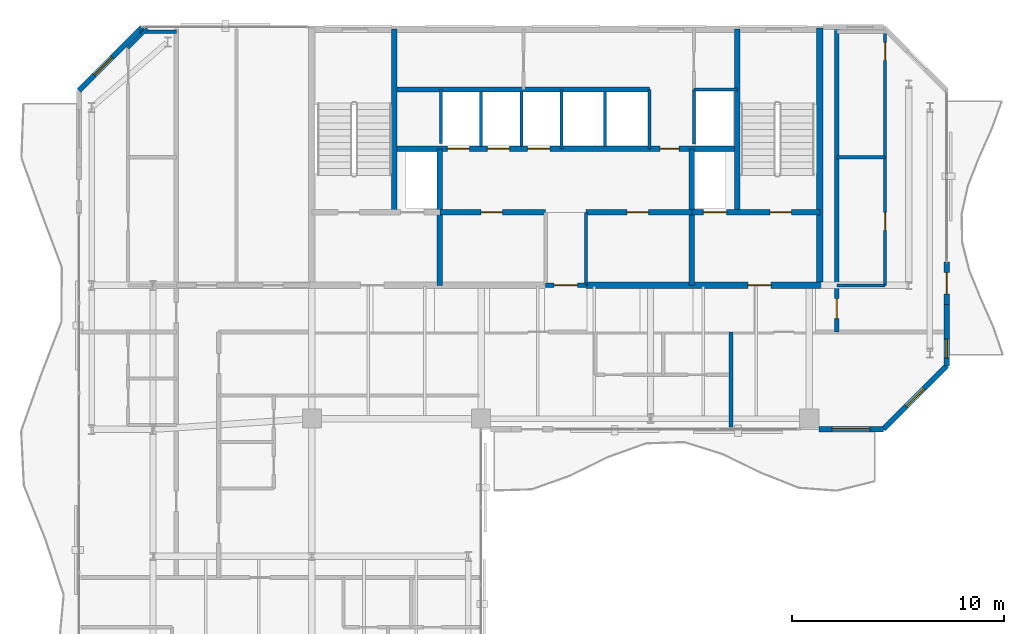
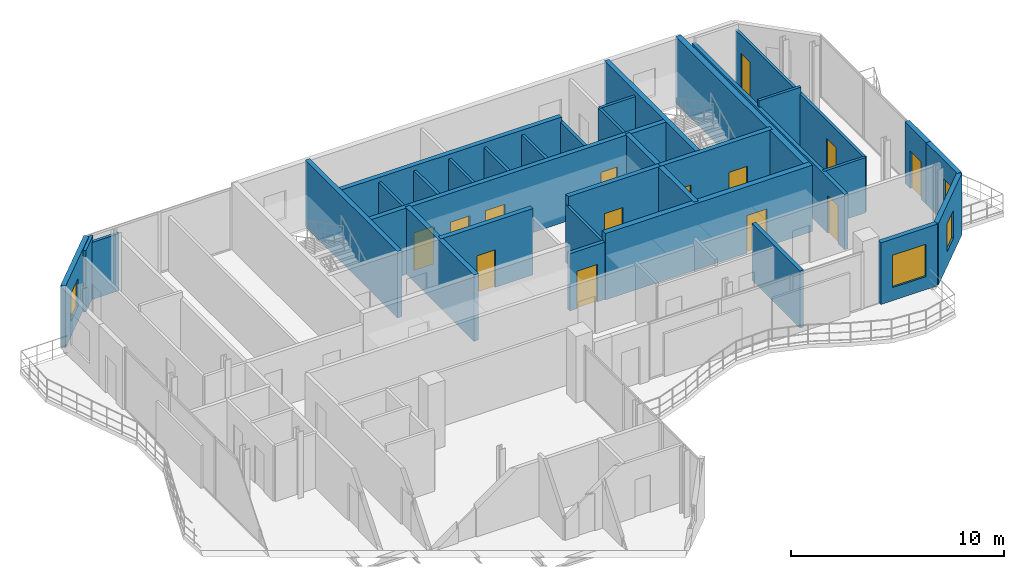
# One storey, part 19 of 23: 33 walls, 14 doors, 4 windows, 18 openings.
"""IFC4 building model written with IfcOpenShell, lengths in metres."""

import ifcopenshell
import ifcopenshell.guid

model = None  # the IFC model being written
_history = None  # IfcOwnerHistory: only IFC2X3 demands one
_inside = {}  # id of a spatial element -> (the spatial element, [elements in it])
_under = {}  # id of a project, library or spatial element -> (it, [spatial elements below it])
_declared = {}  # id of a project -> (the project, [libraries it declares])
_typed = {}  # id of a type object -> (the type object, [elements of that type])
_made_of = {}  # id of a material, layer set ... -> (it, [elements and type objects made of it])


def new_model(schema):
    """Start an empty IFC model of exactly this schema.

    Asked for "IFC4X3", IfcOpenShell would pick the latest addendum, in which some entities
    have other attributes; the version numbers below select the first issue.
    IFC2X3 requires an IfcOwnerHistory on every rooted entity: one is made here for all.
    """
    global model, _history
    if schema == "IFC4X3":
        model = ifcopenshell.file(schema_version=(4, 3, 0, 0))
    else:
        model = ifcopenshell.file(schema=schema)
    _inside.clear()
    _under.clear()
    _declared.clear()
    _typed.clear()
    _made_of.clear()
    _history = None
    if model.schema == "IFC2X3":
        org = make("IfcOrganization", Name="unknown")
        user = make(
            "IfcPersonAndOrganization",
            ThePerson=make("IfcPerson", FamilyName="unknown"),
            TheOrganization=org,
        )
        app = make(
            "IfcApplication",
            ApplicationDeveloper=org,
            Version="unknown",
            ApplicationFullName="unknown",
            ApplicationIdentifier="unknown",
        )
        _history = make(
            "IfcOwnerHistory",
            OwningUser=user,
            OwningApplication=app,
            ChangeAction="ADDED",
            CreationDate=0,
        )
    return model


def make(cls, **values):
    """One entity of the class cls with the attributes given. An attribute that is None is left unset."""
    return model.create_entity(
        cls, **{name: value for name, value in values.items() if value is not None}
    )


def rooted(cls, **values):
    """An entity with a GlobalId (a new one), such as an element, a storey or a relation."""
    return make(cls, GlobalId=ifcopenshell.guid.new(), OwnerHistory=_history, **values)


def si_unit(unit_type, name, prefix=None):
    """IfcSIUnit, for example si_unit("LENGTHUNIT", "METRE", prefix="MILLI")."""
    return make("IfcSIUnit", UnitType=unit_type, Prefix=prefix, Name=name)


def assignment(units):
    """IfcUnitAssignment: the units of a project."""
    return None if units is None else make("IfcUnitAssignment", Units=units)


def point(xyz):
    """IfcCartesianPoint."""
    return None if xyz is None else make("IfcCartesianPoint", Coordinates=xyz)


def direction(xyz):
    """IfcDirection."""
    return None if xyz is None else make("IfcDirection", DirectionRatios=xyz)


def frame(location, z_axis=None, x_axis=None):
    """IfcAxis2Placement3D, a coordinate frame: its origin and axes. An axis left out is left unset."""
    return make(
        "IfcAxis2Placement3D",
        Location=point(location),
        Axis=direction(z_axis),
        RefDirection=direction(x_axis),
    )


def frame_2d(location, x_axis=None):
    """IfcAxis2Placement2D, a coordinate frame in the plane: its origin and x axis."""
    return make(
        "IfcAxis2Placement2D", Location=point(location), RefDirection=direction(x_axis)
    )


def origin():
    """The frame at (0, 0, 0) with its axes left unset."""
    return frame((0.0, 0.0, 0.0))


def place(relative_to, where):
    """IfcLocalPlacement: puts the frame where relative to a parent placement (None: the world)."""
    return make(
        "IfcLocalPlacement", PlacementRelTo=relative_to, RelativePlacement=where
    )


def context(
    kind, dimensions, precision=None, world=None, true_north=None, identifier=None
):
    """IfcGeometricRepresentationContext, for example the 3D "Model" context."""
    return make(
        "IfcGeometricRepresentationContext",
        ContextIdentifier=identifier,
        ContextType=kind,
        CoordinateSpaceDimension=dimensions,
        Precision=precision,
        WorldCoordinateSystem=world,
        TrueNorth=true_north,
    )


def subcontext(parent, identifier, kind, view, scale=None):
    """IfcGeometricRepresentationSubContext, for example "Body" below "Model"."""
    return make(
        "IfcGeometricRepresentationSubContext",
        ContextIdentifier=identifier,
        ContextType=kind,
        ParentContext=parent,
        TargetScale=scale,
        TargetView=view,
    )


def project(units=None, contexts=None):
    """IfcProject with its units and contexts."""
    return rooted(
        "IfcProject",
        Name="project",
        RepresentationContexts=contexts,
        UnitsInContext=assignment(units),
    )


def spatial(cls, under=None, at=None, **own):
    """A site, building, storey or space (cls), placed at a placement, below another one or the project."""
    s = rooted(cls, ObjectPlacement=at, **own)
    if under is not None:
        _under.setdefault(under.id(), (under, []))[1].append(s)
    return s


def profile(cls, at=None, kind="AREA", **sizes):
    """A parametric profile (cls). Its sizes go by their IFC names, for example OverallWidth=200.0."""
    return make(cls, ProfileType=kind, Position=at, **sizes)


def rectangle(**sizes):
    """IfcRectangleProfileDef."""
    return profile("IfcRectangleProfileDef", **sizes)


def extrude(swept, where, along, depth):
    """IfcExtrudedAreaSolid: the profile swept, set in the frame where, extruded along a direction by depth."""
    return make(
        "IfcExtrudedAreaSolid",
        SweptArea=swept,
        Position=where,
        ExtrudedDirection=direction(along),
        Depth=depth,
    )


def shape(context_of_items, identifier, shape_type, items):
    """IfcShapeRepresentation: the items that make up one representation, for example the "Body"."""
    return make(
        "IfcShapeRepresentation",
        ContextOfItems=context_of_items,
        RepresentationIdentifier=identifier,
        RepresentationType=shape_type,
        Items=items,
    )


def material(Name=None, Category=None):
    """IfcMaterial."""
    return make("IfcMaterial", Name=Name, Category=Category)


def layer(
    of_material, thickness, ventilated=None, Name=None, Category=None, Priority=None
):
    """IfcMaterialLayer: one layer of a wall or slab, of a material (None: an air gap)."""
    return make(
        "IfcMaterialLayer",
        Material=of_material,
        LayerThickness=thickness,
        IsVentilated=ventilated,
        Name=Name,
        Category=Category,
        Priority=Priority,
    )


def layer_set(layers, Name=None):
    """IfcMaterialLayerSet."""
    return make("IfcMaterialLayerSet", MaterialLayers=layers, LayerSetName=Name)


def made_of(thing, what):
    """Note that an element or type object is made of a material, layer set ...; save() writes the relation."""
    if what is not None:
        _made_of.setdefault(what.id(), (what, []))[1].append(thing)
    return thing


def type_object(cls, material=None, **own):
    """A type object (cls), such as IfcWallType, which elements share."""
    return made_of(rooted(cls, **own), material)


def element(
    cls,
    number,
    at=None,
    inside=None,
    cuts=None,
    type_object=None,
    material=None,
    context=None,
    identifier="Body",
    shape_type=None,
    held_by="IfcProductDefinitionShape",
    body=None,
    shapes=None,
    **own,
):
    """One element of the class cls, such as IfcWall. Its Tag is "e" and its number.

    at: its placement. inside: the storey or other place that contains it. cuts: it is an
    opening in that element (IfcRelVoidsElement). A single representation is given by context,
    identifier, shape_type and body (its items); several are given by shapes. held_by: the class
    of the entity that holds the representations. save() writes the other relations.
    """
    e = rooted(cls, Tag="e%d" % number, ObjectPlacement=at, **own)
    if body is not None:
        shapes = [shape(context, identifier, shape_type, body)]
    if shapes is not None:
        e.Representation = make(held_by, Representations=shapes)
    if inside is not None:
        _inside.setdefault(inside.id(), (inside, []))[1].append(e)
    if cuts is not None:
        rooted(
            "IfcRelVoidsElement", RelatingBuildingElement=cuts, RelatedOpeningElement=e
        )
    if type_object is not None:
        _typed.setdefault(type_object.id(), (type_object, []))[1].append(e)
    return made_of(e, material)


def fill(opening, filler):
    """IfcRelFillsElement: the door or window that sits in an opening."""
    return rooted(
        "IfcRelFillsElement",
        RelatingOpeningElement=opening,
        RelatedBuildingElement=filler,
    )


def aggregate(whole, parts):
    """IfcRelAggregates: a whole, such as a stair, and the parts it consists of."""
    return rooted("IfcRelAggregates", RelatingObject=whole, RelatedObjects=parts)


def save(model, path):
    """Write the relations noted so far, then the file.

    IfcRelAggregates (storeys below a building ...), IfcRelContainedInSpatialStructure (elements
    in a storey), IfcRelDefinesByType, IfcRelAssociatesMaterial and IfcRelDeclares: one each for
    every whole, place, type object, material and project.
    """
    for whole, parts in _under.values():
        aggregate(whole, parts)
    for where, things in _inside.values():
        rooted(
            "IfcRelContainedInSpatialStructure",
            RelatedElements=things,
            RelatingStructure=where,
        )
    for kind, things in _typed.values():
        rooted("IfcRelDefinesByType", RelatedObjects=things, RelatingType=kind)
    for what, things in _made_of.values():
        rooted("IfcRelAssociatesMaterial", RelatedObjects=things, RelatingMaterial=what)
    for by, libraries in _declared.values():
        rooted("IfcRelDeclares", RelatingContext=by, RelatedDefinitions=libraries)
    model.write(path)


model = new_model("IFC4")

# Units and contexts
model_context = context("Model", 3, precision=1e-05, world=origin(), true_north=direction((0.0, 1.0)))
body_context = subcontext(model_context, "Body", "Model", "MODEL_VIEW")
ifc_project = project(units=[si_unit("LENGTHUNIT", "METRE"), si_unit("AREAUNIT", "SQUARE_METRE"), si_unit("VOLUMEUNIT", "CUBIC_METRE"), si_unit("PLANEANGLEUNIT", "RADIAN"), si_unit("MASSUNIT", "GRAM", prefix="KILO")], contexts=[model_context])

# Site, building, storey
site_placement = place(None, origin())
site = spatial("IfcSite", under=ifc_project, at=site_placement, CompositionType="ELEMENT")
building_placement = place(site_placement, origin())
building = spatial("IfcBuilding", under=site, at=building_placement, Name="Catumbela Crestline Tower", CompositionType="ELEMENT")
storey_placement = place(building_placement, frame((0.0, 0.0, 245.0)))
storey = spatial("IfcBuildingStorey", under=building, at=storey_placement, Name="L63", CompositionType="ELEMENT", Elevation=245.0)

# Walls
ifc_material_1 = material(Name="Concrete C50/60", Category="concrete")
ifc_layer_1 = layer(ifc_material_1, 0.25, Name="Concrete C50/60")
ifc_layer_set_1 = layer_set([ifc_layer_1], Name="Concrete C50/60")
wall_type_1 = type_object("IfcWallType", Name="CW-250D", PredefinedType="SHEAR", material=ifc_layer_set_1)
for number, where, z_axis, x_axis, name in (
    (1, (19.9, 34.25, 0.0), (0.0, 0.0, 1.0), (0.0, 1.0, 0.0), "L63 Structural Core Shear Wall WWEB"),
    (2, (36.1, 34.25, 0.0), (0.0, 0.0, 1.0), (0.0, 1.0, 0.0), "L63 Structural Core Shear Wall EWEB"),
):
    element("IfcWall", number, at=place(storey_placement, frame(where, z_axis=z_axis, x_axis=x_axis)), inside=storey, type_object=wall_type_1, Name=name, PredefinedType="SHEAR", context=body_context, shape_type="SweptSolid", body=[
        extrude(rectangle(XDim=8.65, YDim=0.25, at=frame_2d((4.325, 0.0))), origin(), (0.0, 0.0, 1.0), 3.8),
    ])
for number, where, z_axis, x_axis, name in (
    (3, (22.05, 30.8, 0.0), (0.0, 0.0, 1.0), (0.0, 1.0, 0.0), "L63 Structural Core Shear Wall FFW"),
    (4, (33.95, 30.8, 0.0), (0.0, 0.0, 1.0), (0.0, 1.0, 0.0), "L63 Structural Core Shear Wall FFE"),
):
    element("IfcWall", number, at=place(storey_placement, frame(where, z_axis=z_axis, x_axis=x_axis)), inside=storey, type_object=wall_type_1, Name=name, PredefinedType="SHEAR", context=body_context, shape_type="SweptSolid", body=[
        extrude(rectangle(XDim=6.45, YDim=0.25, at=frame_2d((3.225, 0.0))), origin(), (0.0, 0.0, 1.0), 3.8),
    ])

# Wall, openings, doors
wall_1_placement = place(storey_placement, frame((33.95, 34.25, 0.0), z_axis=(0.0, 0.0, 1.0), x_axis=(1.0, 0.0, 0.0)))
wall_1 = element("IfcWall", 5, at=wall_1_placement, inside=storey, type_object=wall_type_1, Name="L63 Structural Core Shear Wall ST2S", PredefinedType="SHEAR", context=body_context, shape_type="SweptSolid", body=[
    extrude(rectangle(XDim=6.05, YDim=0.25, at=frame_2d((3.025, 0.0))), origin(), (0.0, 0.0, 1.0), 3.8),
])
opening_1_placement = place(wall_1_placement, frame((3.7, 0.0, 0.0)))
opening_1 = element("IfcOpeningElement", 6, at=opening_1_placement, cuts=wall_1, Name="Opening DF9-100", PredefinedType="OPENING", context=body_context, shape_type="SweptSolid", body=[
    extrude(rectangle(XDim=1.0, YDim=2.15, at=frame_2d((0.5, 1.075))), frame((0.0, 0.135, 0.0), z_axis=(0.0, -1.0, 0.0), x_axis=(1.0, 0.0, 0.0)), (0.0, 0.0, 1.0), 0.27),
])
opening_2_placement = place(wall_1_placement, frame((0.55, 0.0, 0.0)))
opening_2 = element("IfcOpeningElement", 7, at=opening_2_placement, cuts=wall_1, Name="Opening LD-110", PredefinedType="OPENING", context=body_context, shape_type="SweptSolid", body=[
    extrude(rectangle(XDim=1.1, YDim=2.15, at=frame_2d((0.55, 1.075))), frame((0.0, 0.135, 0.0), z_axis=(0.0, -1.0, 0.0), x_axis=(1.0, 0.0, 0.0)), (0.0, 0.0, 1.0), 0.27),
])
ifc_material_2 = material(Name="Stainless steel EN 1.4401", Category="steel")
door_type_1 = type_object("IfcDoorType", Name="DF9-100", OperationType="NOTDEFINED", PredefinedType="DOOR", material=ifc_material_2)
door_1_placement = place(opening_1_placement, origin())
door_1 = element("IfcDoor", 8, at=door_1_placement, inside=storey, type_object=door_type_1, Name="L63 Interior Door DR-L63-ST02", OperationType="SINGLE_SWING_RIGHT", OverallHeight=2.15, OverallWidth=1.0, PredefinedType="DOOR", context=body_context, shape_type="SweptSolid", body=[
    extrude(rectangle(XDim=1.0, YDim=2.15, at=frame_2d((0.5, 1.075))), frame((0.0, 0.025, 0.0), z_axis=(0.0, -1.0, 0.0), x_axis=(1.0, 0.0, 0.0)), (0.0, 0.0, 1.0), 0.05),
])
fill(opening_1, door_1)
door_type_2 = type_object("IfcDoorType", Name="LD-110", OperationType="NOTDEFINED", PredefinedType="DOOR", material=ifc_material_2)
door_2_placement = place(opening_2_placement, origin())
door_2 = element("IfcDoor", 9, at=door_2_placement, inside=storey, type_object=door_type_2, Name="L63 Lift Landing Sliding Door FL-02", OperationType="DOUBLE_DOOR_SLIDING", OverallHeight=2.15, OverallWidth=1.1, PredefinedType="DOOR", context=body_context, shape_type="SweptSolid", body=[
    extrude(rectangle(XDim=1.1, YDim=2.15, at=frame_2d((0.55, 1.075))), frame((0.0, 0.025, 0.0), z_axis=(0.0, -1.0, 0.0), x_axis=(1.0, 0.0, 0.0)), (0.0, 0.0, 1.0), 0.05),
])
fill(opening_2, door_2)

# Wall, opening, door
wall_2_placement = place(storey_placement, frame((22.05, 34.25, 0.0), z_axis=(0.0, 0.0, 1.0), x_axis=(1.0, 0.0, 0.0)))
wall_2 = element("IfcWall", 10, at=wall_2_placement, inside=storey, type_object=wall_type_1, Name="L63 Structural Core Shear Wall LIFTS-W", PredefinedType="SHEAR", context=body_context, shape_type="SweptSolid", body=[
    extrude(rectangle(XDim=5.0, YDim=0.25, at=frame_2d((2.5, 0.0))), origin(), (0.0, 0.0, 1.0), 3.8),
])
opening_3_placement = place(wall_2_placement, frame((1.95, 0.0, 0.0)))
opening_3 = element("IfcOpeningElement", 11, at=opening_3_placement, cuts=wall_2, Name="Opening DF9-100", PredefinedType="OPENING", context=body_context, shape_type="SweptSolid", body=[
    extrude(rectangle(XDim=1.0, YDim=2.15, at=frame_2d((0.5, 1.075))), frame((0.0, 0.135, 0.0), z_axis=(0.0, -1.0, 0.0), x_axis=(1.0, 0.0, 0.0)), (0.0, 0.0, 1.0), 0.27),
])
door_3_placement = place(opening_3_placement, origin())
door_3 = element("IfcDoor", 12, at=door_3_placement, inside=storey, type_object=door_type_1, Name="L63 Interior Door DR-L63-RECL1", OperationType="SINGLE_SWING_LEFT", OverallHeight=2.15, OverallWidth=1.0, PredefinedType="DOOR", context=body_context, shape_type="SweptSolid", body=[
    extrude(rectangle(XDim=1.0, YDim=2.15, at=frame_2d((0.5, 1.075))), frame((0.0, 0.025, 0.0), z_axis=(0.0, -1.0, 0.0), x_axis=(1.0, 0.0, 0.0)), (0.0, 0.0, 1.0), 0.05),
])
fill(opening_3, door_3)

wall_3_placement = place(storey_placement, frame((28.95, 34.25, 0.0), z_axis=(0.0, 0.0, 1.0), x_axis=(1.0, 0.0, 0.0)))
wall_3 = element("IfcWall", 13, at=wall_3_placement, inside=storey, type_object=wall_type_1, Name="L63 Structural Core Shear Wall LIFTS-E", PredefinedType="SHEAR", context=body_context, shape_type="SweptSolid", body=[
    extrude(rectangle(XDim=5.0, YDim=0.25, at=frame_2d((2.5, 0.0))), origin(), (0.0, 0.0, 1.0), 3.8),
])
opening_4_placement = place(wall_3_placement, frame((1.95, 0.0, 0.0)))
opening_4 = element("IfcOpeningElement", 14, at=opening_4_placement, cuts=wall_3, Name="Opening DF9-100", PredefinedType="OPENING", context=body_context, shape_type="SweptSolid", body=[
    extrude(rectangle(XDim=1.0, YDim=2.15, at=frame_2d((0.5, 1.075))), frame((0.0, 0.135, 0.0), z_axis=(0.0, -1.0, 0.0), x_axis=(1.0, 0.0, 0.0)), (0.0, 0.0, 1.0), 0.27),
])
door_4_placement = place(opening_4_placement, origin())
door_4 = element("IfcDoor", 15, at=door_4_placement, inside=storey, type_object=door_type_1, Name="L63 Interior Door DR-L63-RECL2", OperationType="SINGLE_SWING_RIGHT", OverallHeight=2.15, OverallWidth=1.0, PredefinedType="DOOR", context=body_context, shape_type="SweptSolid", body=[
    extrude(rectangle(XDim=1.0, YDim=2.15, at=frame_2d((0.5, 1.075))), frame((0.0, 0.025, 0.0), z_axis=(0.0, -1.0, 0.0), x_axis=(1.0, 0.0, 0.0)), (0.0, 0.0, 1.0), 0.05),
])
fill(opening_4, door_4)

# Wall, openings, doors
wall_4_placement = place(storey_placement, frame((19.9, 37.25, 0.0), z_axis=(0.0, 0.0, 1.0), x_axis=(1.0, 0.0, 0.0)))
wall_4 = element("IfcWall", 16, at=wall_4_placement, inside=storey, type_object=wall_type_1, Name="L63 Structural Core Shear Wall LIFTN", PredefinedType="SHEAR", context=body_context, shape_type="SweptSolid", body=[
    extrude(rectangle(XDim=16.2, YDim=0.25, at=frame_2d((8.1, 0.0))), origin(), (0.0, 0.0, 1.0), 3.8),
])
opening_5_placement = place(wall_4_placement, frame((12.55, 0.0, 0.0)))
opening_5 = element("IfcOpeningElement", 17, at=opening_5_placement, cuts=wall_4, Name="Opening DF9-090", PredefinedType="OPENING", context=body_context, shape_type="SweptSolid", body=[
    extrude(rectangle(XDim=0.9, YDim=2.15, at=frame_2d((0.45, 1.075))), frame((0.0, 0.135, 0.0), z_axis=(0.0, -1.0, 0.0), x_axis=(1.0, 0.0, 0.0)), (0.0, 0.0, 1.0), 0.27),
])
opening_6_placement = place(wall_4_placement, frame((2.5, 0.0, 0.0)))
opening_6 = element("IfcOpeningElement", 18, at=opening_6_placement, cuts=wall_4, Name="Opening LD-105", PredefinedType="OPENING", context=body_context, shape_type="SweptSolid", body=[
    extrude(rectangle(XDim=1.05, YDim=2.15, at=frame_2d((0.525, 1.075))), frame((0.0, 0.135, 0.0), z_axis=(0.0, -1.0, 0.0), x_axis=(1.0, 0.0, 0.0)), (0.0, 0.0, 1.0), 0.27),
])
opening_7_placement = place(wall_4_placement, frame((4.4, 0.0, 0.0)))
opening_7 = element("IfcOpeningElement", 19, at=opening_7_placement, cuts=wall_4, Name="Opening LD-105", PredefinedType="OPENING", context=body_context, shape_type="SweptSolid", body=[
    extrude(rectangle(XDim=1.05, YDim=2.15, at=frame_2d((0.525, 1.075))), frame((0.0, 0.135, 0.0), z_axis=(0.0, -1.0, 0.0), x_axis=(1.0, 0.0, 0.0)), (0.0, 0.0, 1.0), 0.27),
])
opening_8_placement = place(wall_4_placement, frame((6.3, 0.0, 0.0)))
opening_8 = element("IfcOpeningElement", 20, at=opening_8_placement, cuts=wall_4, Name="Opening LD-105", PredefinedType="OPENING", context=body_context, shape_type="SweptSolid", body=[
    extrude(rectangle(XDim=1.05, YDim=2.15, at=frame_2d((0.525, 1.075))), frame((0.0, 0.135, 0.0), z_axis=(0.0, -1.0, 0.0), x_axis=(1.0, 0.0, 0.0)), (0.0, 0.0, 1.0), 0.27),
])
door_type_3 = type_object("IfcDoorType", Name="DF9-090", OperationType="NOTDEFINED", PredefinedType="DOOR", material=ifc_material_2)
door_5_placement = place(opening_5_placement, origin())
door_5 = element("IfcDoor", 21, at=door_5_placement, inside=storey, type_object=door_type_3, Name="L63 Interior Door DR-L63-CPAS1", OperationType="SINGLE_SWING_LEFT", OverallHeight=2.15, OverallWidth=0.9, PredefinedType="DOOR", context=body_context, shape_type="SweptSolid", body=[
    extrude(rectangle(XDim=0.9, YDim=2.15, at=frame_2d((0.45, 1.075))), frame((0.0, 0.025, 0.0), z_axis=(0.0, -1.0, 0.0), x_axis=(1.0, 0.0, 0.0)), (0.0, 0.0, 1.0), 0.05),
])
fill(opening_5, door_5)
door_type_4 = type_object("IfcDoorType", Name="LD-105", OperationType="NOTDEFINED", PredefinedType="DOOR", material=ifc_material_2)
door_6_placement = place(opening_6_placement, origin())
door_6 = element("IfcDoor", 22, at=door_6_placement, inside=storey, type_object=door_type_4, Name="L63 Lift Landing Sliding Door PL-H1", OperationType="DOUBLE_DOOR_SLIDING", OverallHeight=2.15, OverallWidth=1.05, PredefinedType="DOOR", context=body_context, shape_type="SweptSolid", body=[
    extrude(rectangle(XDim=1.05, YDim=2.15, at=frame_2d((0.525, 1.075))), frame((0.0, 0.025, 0.0), z_axis=(0.0, -1.0, 0.0), x_axis=(1.0, 0.0, 0.0)), (0.0, 0.0, 1.0), 0.05),
])
fill(opening_6, door_6)
door_7_placement = place(opening_7_placement, origin())
door_7 = element("IfcDoor", 23, at=door_7_placement, inside=storey, type_object=door_type_4, Name="L63 Lift Landing Sliding Door PL-H2", OperationType="DOUBLE_DOOR_SLIDING", OverallHeight=2.15, OverallWidth=1.05, PredefinedType="DOOR", context=body_context, shape_type="SweptSolid", body=[
    extrude(rectangle(XDim=1.05, YDim=2.15, at=frame_2d((0.525, 1.075))), frame((0.0, 0.025, 0.0), z_axis=(0.0, -1.0, 0.0), x_axis=(1.0, 0.0, 0.0)), (0.0, 0.0, 1.0), 0.05),
])
fill(opening_7, door_7)
door_8_placement = place(opening_8_placement, origin())
door_8 = element("IfcDoor", 24, at=door_8_placement, inside=storey, type_object=door_type_4, Name="L63 Lift Landing Sliding Door PL-H3", OperationType="DOUBLE_DOOR_SLIDING", OverallHeight=2.15, OverallWidth=1.05, PredefinedType="DOOR", context=body_context, shape_type="SweptSolid", body=[
    extrude(rectangle(XDim=1.05, YDim=2.15, at=frame_2d((0.525, 1.075))), frame((0.0, 0.025, 0.0), z_axis=(0.0, -1.0, 0.0), x_axis=(1.0, 0.0, 0.0)), (0.0, 0.0, 1.0), 0.05),
])
fill(opening_8, door_8)

# Walls
wall_5_placement = place(storey_placement, frame((19.9, 40.05, 0.0), z_axis=(0.0, 0.0, 1.0), x_axis=(1.0, 0.0, 0.0)))
element("IfcWall", 25, at=wall_5_placement, inside=storey, type_object=wall_type_1, Name="L63 Structural Core Shear Wall COREN", PredefinedType="SHEAR", context=body_context, shape_type="SweptSolid", body=[
    extrude(rectangle(XDim=12.05, YDim=0.25, at=frame_2d((6.025, 0.0))), origin(), (0.0, 0.0, 1.0), 3.8),
])
ifc_material_3 = material(Name="Concrete C45/55", Category="concrete")
ifc_layer_2 = layer(ifc_material_3, 0.3, Name="Concrete C45/55")
ifc_layer_set_2 = layer_set([ifc_layer_2], Name="Concrete C45/55")
wall_type_2 = type_object("IfcWallType", Name="CW-300C", PredefinedType="SHEAR", material=ifc_layer_set_2)
wall_6_placement = place(storey_placement, frame((40.0, 30.65, 0.0), z_axis=(0.0, 0.0, 1.0), x_axis=(0.0, 1.0, 0.0)))
element("IfcWall", 26, at=wall_6_placement, inside=storey, type_object=wall_type_2, Name="L63 Structural Core Shear Wall E", PredefinedType="SHEAR", context=body_context, shape_type="SweptSolid", body=[
    extrude(rectangle(XDim=12.3, YDim=0.3, at=frame_2d((6.15, 0.0))), origin(), (0.0, 0.0, 1.0), 3.8),
])

# Wall, opening, door
wall_7_placement = place(storey_placement, frame((28.95, 30.8, 0.0), z_axis=(0.0, 0.0, 1.0), x_axis=(1.0, 0.0, 0.0)))
wall_7 = element("IfcWall", 27, at=wall_7_placement, inside=storey, type_object=wall_type_2, Name="L63 Structural Core Shear Wall SE", PredefinedType="SHEAR", context=body_context, shape_type="SweptSolid", body=[
    extrude(rectangle(XDim=11.2, YDim=0.3, at=frame_2d((5.6, 0.0))), origin(), (0.0, 0.0, 1.0), 3.8),
])
opening_9_placement = place(wall_7_placement, frame((7.65, 0.0, 0.0)))
opening_9 = element("IfcOpeningElement", 28, at=opening_9_placement, cuts=wall_7, Name="Opening DF9-110", PredefinedType="OPENING", context=body_context, shape_type="SweptSolid", body=[
    extrude(rectangle(XDim=1.1, YDim=2.15, at=frame_2d((0.55, 1.075))), frame((0.0, 0.16, 0.0), z_axis=(0.0, -1.0, 0.0), x_axis=(1.0, 0.0, 0.0)), (0.0, 0.0, 1.0), 0.32),
])
door_type_5 = type_object("IfcDoorType", Name="DF9-110", OperationType="NOTDEFINED", PredefinedType="DOOR", material=ifc_material_2)
door_9_placement = place(opening_9_placement, origin())
door_9 = element("IfcDoor", 29, at=door_9_placement, inside=storey, type_object=door_type_5, Name="L63 Interior Door DR-L63-FFE-S", OperationType="SINGLE_SWING_RIGHT", OverallHeight=2.15, OverallWidth=1.1, PredefinedType="DOOR", context=body_context, shape_type="SweptSolid", body=[
    extrude(rectangle(XDim=1.1, YDim=2.15, at=frame_2d((0.55, 1.075))), frame((0.0, 0.025, 0.0), z_axis=(0.0, -1.0, 0.0), x_axis=(1.0, 0.0, 0.0)), (0.0, 0.0, 1.0), 0.05),
])
fill(opening_9, door_9)

ifc_material_4 = material(Name="Acoustic gypsum and mineral-wool partition")
ifc_layer_3 = layer(ifc_material_4, 0.2, Name="Acoustic gypsum and mineral-wool partition")
ifc_layer_set_3 = layer_set([ifc_layer_3], Name="Acoustic gypsum and mineral-wool partition")
wall_type_3 = type_object("IfcWallType", Name="WC-200", PredefinedType="PARTITIONING", material=ifc_layer_set_3)
wall_8_placement = place(storey_placement, frame((27.05, 30.8, 0.0), z_axis=(0.0, 0.0, 1.0), x_axis=(1.0, 0.0, 0.0)))
wall_8 = element("IfcWall", 30, at=wall_8_placement, inside=storey, type_object=wall_type_3, Name="L63 Interior Partition PW-L63-CLOBS", PredefinedType="PARTITIONING", context=body_context, shape_type="SweptSolid", body=[
    extrude(rectangle(XDim=1.9, YDim=0.2, at=frame_2d((0.95, 0.0))), origin(), (0.0, 0.0, 1.0), 3.28),
])
opening_10_placement = place(wall_8_placement, frame((0.4, 0.0, 0.0)))
opening_10 = element("IfcOpeningElement", 31, at=opening_10_placement, cuts=wall_8, Name="Opening DF9-110", PredefinedType="OPENING", context=body_context, shape_type="SweptSolid", body=[
    extrude(rectangle(XDim=1.1, YDim=2.15, at=frame_2d((0.55, 1.075))), frame((0.0, 0.11, 0.0), z_axis=(0.0, -1.0, 0.0), x_axis=(1.0, 0.0, 0.0)), (0.0, 0.0, 1.0), 0.22),
])
door_10_placement = place(opening_10_placement, origin())
door_10 = element("IfcDoor", 32, at=door_10_placement, inside=storey, type_object=door_type_5, Name="L63 Interior Door DR-L63-CLOBS", OperationType="SINGLE_SWING_LEFT", OverallHeight=2.15, OverallWidth=1.1, PredefinedType="DOOR", context=body_context, shape_type="SweptSolid", body=[
    extrude(rectangle(XDim=1.1, YDim=2.15, at=frame_2d((0.55, 1.075))), frame((0.0, 0.025, 0.0), z_axis=(0.0, -1.0, 0.0), x_axis=(1.0, 0.0, 0.0)), (0.0, 0.0, 1.0), 0.05),
])
fill(opening_10, door_10)

wall_9_placement = place(storey_placement, frame((40.8, 28.6, 0.0), z_axis=(0.0, 0.0, 1.0), x_axis=(0.0, 1.0, 0.0)))
wall_9 = element("IfcWall", 33, at=wall_9_placement, inside=storey, type_object=wall_type_3, Name="L63 Interior Partition PW-L63-NE1-ENT", PredefinedType="PARTITIONING", context=body_context, shape_type="SweptSolid", body=[
    extrude(rectangle(XDim=14.3, YDim=0.2, at=frame_2d((7.15, 0.0))), origin(), (0.0, 0.0, 1.0), 3.16),
])
opening_11_placement = place(wall_9_placement, frame((0.625, 0.0, 0.0)))
opening_11 = element("IfcOpeningElement", 34, at=opening_11_placement, cuts=wall_9, Name="Opening DF6-095", PredefinedType="OPENING", context=body_context, shape_type="SweptSolid", body=[
    extrude(rectangle(XDim=0.95, YDim=2.15, at=frame_2d((0.475, 1.075))), frame((0.0, 0.11, 0.0), z_axis=(0.0, -1.0, 0.0), x_axis=(1.0, 0.0, 0.0)), (0.0, 0.0, 1.0), 0.22),
])
ifc_material_5 = material(Name="Aluminium alloy AW-6060-T66", Category="aluminium")
door_type_6 = type_object("IfcDoorType", Name="DF6-095", OperationType="NOTDEFINED", PredefinedType="DOOR", material=ifc_material_5)
door_11_placement = place(opening_11_placement, origin())
door_11 = element("IfcDoor", 35, at=door_11_placement, inside=storey, type_object=door_type_6, Name="L63 Interior Door DR-L63-NE1-ENT", OperationType="SINGLE_SWING_LEFT", OverallHeight=2.15, OverallWidth=0.95, PredefinedType="DOOR", context=body_context, shape_type="SweptSolid", body=[
    extrude(rectangle(XDim=0.95, YDim=2.15, at=frame_2d((0.475, 1.075))), frame((0.0, 0.025, 0.0), z_axis=(0.0, -1.0, 0.0), x_axis=(1.0, 0.0, 0.0)), (0.0, 0.0, 1.0), 0.05),
])
fill(opening_11, door_11)

# Wall, opening, window
ifc_material_6 = material(Name="Angolan grey-ochre granite", Category="masonry")
ifc_layer_4 = layer(ifc_material_6, 0.25, Name="Angolan grey-ochre granite")
ifc_layer_set_4 = layer_set([ifc_layer_4], Name="Angolan grey-ochre granite")
wall_type_4 = type_object("IfcWallType", Name="WE-250", PredefinedType="STANDARD", material=ifc_layer_set_4)
wall_10_placement = place(storey_placement, frame((39.95, 24.0, 0.0), z_axis=(0.0, 0.0, 1.0), x_axis=(1.0, 0.0, 0.0)))
wall_10 = element("IfcWall", 36, at=wall_10_placement, inside=storey, type_object=wall_type_4, Name="L63 Granite Punched Window Wall 3-3", PredefinedType="STANDARD", context=body_context, shape_type="SweptSolid", body=[
    extrude(rectangle(XDim=3.05, YDim=0.25, at=frame_2d((1.525, 0.0))), origin(), (0.0, 0.0, 1.0), 3.53),
])
opening_12_placement = place(wall_10_placement, frame((0.625, 0.0, 0.75)))
opening_12 = element("IfcOpeningElement", 37, at=opening_12_placement, cuts=wall_10, Name="Opening WN-01", PredefinedType="OPENING", context=body_context, shape_type="SweptSolid", body=[
    extrude(rectangle(XDim=1.8, YDim=1.85, at=frame_2d((0.9, 0.925))), frame((0.0, 0.135, 0.0), z_axis=(0.0, -1.0, 0.0), x_axis=(1.0, 0.0, 0.0)), (0.0, 0.0, 1.0), 0.27),
])
ifc_material_7 = material(Name="Low-E laminated solar-control double glazing", Category="glass")
window_type_1 = type_object("IfcWindowType", Name="WF-1800", PartitioningType="SINGLE_PANEL", PredefinedType="WINDOW", material=ifc_material_7)
window_1_placement = place(opening_12_placement, origin())
window_1 = element("IfcWindow", 38, at=window_1_placement, inside=storey, type_object=window_type_1, Name="L63 Facade Vision Window 471", OverallHeight=1.85, OverallWidth=1.8, PartitioningType="SINGLE_PANEL", PredefinedType="WINDOW", context=body_context, shape_type="SweptSolid", body=[
    extrude(rectangle(XDim=1.8, YDim=1.85, at=frame_2d((0.9, 0.925))), frame((0.0, 0.03, 0.0), z_axis=(0.0, -1.0, 0.0), x_axis=(1.0, 0.0, 0.0)), (0.0, 0.0, 1.0), 0.06),
])
fill(opening_12, window_1)

wall_11_placement = place(storey_placement, frame((43.0, 24.0, 0.0), z_axis=(0.0, 0.0, 1.0), x_axis=(0.707106781187, 0.707106781187, 0.0)))
wall_11 = element("IfcWall", 39, at=wall_11_placement, inside=storey, type_object=wall_type_4, Name="L63 Granite Punched Window Wall 4-1", PredefinedType="STANDARD", context=body_context, shape_type="SweptSolid", body=[
    extrude(rectangle(XDim=4.2426, YDim=0.25, at=frame_2d((2.1213, 0.0))), origin(), (0.0, 0.0, 1.0), 3.53),
])
opening_13_placement = place(wall_11_placement, frame((1.5213, 0.0, 0.85)))
opening_13 = element("IfcOpeningElement", 40, at=opening_13_placement, cuts=wall_11, Name="Opening WN-02", PredefinedType="OPENING", context=body_context, shape_type="SweptSolid", body=[
    extrude(rectangle(XDim=1.2, YDim=1.6, at=frame_2d((0.6, 0.8))), frame((0.0, 0.135, 0.0), z_axis=(0.0, -1.0, 0.0), x_axis=(1.0, 0.0, 0.0)), (0.0, 0.0, 1.0), 0.27),
])
window_type_2 = type_object("IfcWindowType", Name="WO-1200", PartitioningType="SINGLE_PANEL", PredefinedType="WINDOW", material=ifc_material_7)
window_2_placement = place(opening_13_placement, origin())
window_2 = element("IfcWindow", 41, at=window_2_placement, inside=storey, type_object=window_type_2, Name="L63 Facade Vision Window 472", OverallHeight=1.6, OverallWidth=1.2, PartitioningType="SINGLE_PANEL", PredefinedType="WINDOW", context=body_context, shape_type="SweptSolid", body=[
    extrude(rectangle(XDim=1.2, YDim=1.6, at=frame_2d((0.6, 0.8))), frame((0.0, 0.03, 0.0), z_axis=(0.0, -1.0, 0.0), x_axis=(1.0, 0.0, 0.0)), (0.0, 0.0, 1.0), 0.06),
])
fill(opening_13, window_2)

# Wall, opening, door
wall_12_placement = place(storey_placement, frame((46.0, 29.9, 0.0), z_axis=(0.0, 0.0, 1.0), x_axis=(0.0, 1.0, 0.0)))
wall_12 = element("IfcWall", 42, at=wall_12_placement, inside=storey, type_object=wall_type_4, Name="L63 Exterior Threshold Portal Wall DR-L63-WBAL-2", PredefinedType="STANDARD", context=body_context, shape_type="SweptSolid", body=[
    extrude(rectangle(XDim=2.0, YDim=0.25, at=frame_2d((1.0, 0.0))), origin(), (0.0, 0.0, 1.0), 3.53),
])
opening_14_placement = place(wall_12_placement, frame((0.5, 0.0, 0.0)))
opening_14 = element("IfcOpeningElement", 43, at=opening_14_placement, cuts=wall_12, Name="Opening DB-L63-2", PredefinedType="OPENING", context=body_context, shape_type="SweptSolid", body=[
    extrude(rectangle(XDim=1.0, YDim=2.15, at=frame_2d((0.5, 1.075))), frame((0.0, 0.135, 0.0), z_axis=(0.0, -1.0, 0.0), x_axis=(1.0, 0.0, 0.0)), (0.0, 0.0, 1.0), 0.27),
])
door_type_7 = type_object("IfcDoorType", Name="DB-1000", OperationType="NOTDEFINED", PredefinedType="DOOR", material=ifc_material_5)
door_12_placement = place(opening_14_placement, origin())
door_12 = element("IfcDoor", 44, at=door_12_placement, inside=storey, type_object=door_type_7, Name="L63 Wave Balcony Terrace Door 2", OperationType="SINGLE_SWING_RIGHT", OverallHeight=2.15, OverallWidth=1.0, PredefinedType="DOOR", context=body_context, shape_type="SweptSolid", body=[
    extrude(rectangle(XDim=1.0, YDim=2.15, at=frame_2d((0.5, 1.075))), frame((0.0, 0.025, 0.0), z_axis=(0.0, -1.0, 0.0), x_axis=(1.0, 0.0, 0.0)), (0.0, 0.0, 1.0), 0.05),
])
fill(opening_14, door_12)

# Wall, opening, window
wall_13_placement = place(storey_placement, frame((46.0, 27.0, 0.0), z_axis=(0.0, 0.0, 1.0), x_axis=(0.0, 1.0, 0.0)))
wall_13 = element("IfcWall", 45, at=wall_13_placement, inside=storey, type_object=wall_type_4, Name="L63 Granite Punched Window Wall 5-1", PredefinedType="STANDARD", context=body_context, shape_type="SweptSolid", body=[
    extrude(rectangle(XDim=2.9, YDim=0.25, at=frame_2d((1.45, 0.0))), origin(), (0.0, 0.0, 1.0), 3.53),
])
opening_15_placement = place(wall_13_placement, frame((0.36, 0.0, 0.9)))
opening_15 = element("IfcOpeningElement", 46, at=opening_15_placement, cuts=wall_13, Name="Opening WN-03", PredefinedType="OPENING", context=body_context, shape_type="SweptSolid", body=[
    extrude(rectangle(XDim=0.9, YDim=1.55, at=frame_2d((0.45, 0.775))), frame((0.0, 0.135, 0.0), z_axis=(0.0, -1.0, 0.0), x_axis=(1.0, 0.0, 0.0)), (0.0, 0.0, 1.0), 0.27),
])
window_type_3 = type_object("IfcWindowType", Name="WO-0900", PartitioningType="SINGLE_PANEL", PredefinedType="WINDOW", material=ifc_material_7)
window_3_placement = place(opening_15_placement, origin())
window_3 = element("IfcWindow", 47, at=window_3_placement, inside=storey, type_object=window_type_3, Name="L63 Facade Vision Window 473", OverallHeight=1.55, OverallWidth=0.9, PartitioningType="SINGLE_PANEL", PredefinedType="WINDOW", context=body_context, shape_type="SweptSolid", body=[
    extrude(rectangle(XDim=0.9, YDim=1.55, at=frame_2d((0.45, 0.775))), frame((0.0, 0.03, 0.0), z_axis=(0.0, -1.0, 0.0), x_axis=(1.0, 0.0, 0.0)), (0.0, 0.0, 1.0), 0.06),
])
fill(opening_15, window_3)

wall_14_placement = place(storey_placement, frame((8.0, 43.0, 0.0), z_axis=(0.0, 0.0, 1.0), x_axis=(-0.707106781187, -0.707106781187, 0.0)))
wall_14 = element("IfcWall", 48, at=wall_14_placement, inside=storey, type_object=wall_type_4, Name="L63 Granite Punched Window Wall 8-1", PredefinedType="STANDARD", context=body_context, shape_type="SweptSolid", body=[
    extrude(rectangle(XDim=4.2426, YDim=0.25, at=frame_2d((2.1213, 0.0))), origin(), (0.0, 0.0, 1.0), 3.53),
])
opening_16_placement = place(wall_14_placement, frame((2.0275, 0.0, 0.85)))
opening_16 = element("IfcOpeningElement", 49, at=opening_16_placement, cuts=wall_14, Name="Opening WN-02", PredefinedType="OPENING", context=body_context, shape_type="SweptSolid", body=[
    extrude(rectangle(XDim=1.2, YDim=1.6, at=frame_2d((0.6, 0.8))), frame((0.0, 0.135, 0.0), z_axis=(0.0, -1.0, 0.0), x_axis=(1.0, 0.0, 0.0)), (0.0, 0.0, 1.0), 0.27),
])
window_4_placement = place(opening_16_placement, origin())
window_4 = element("IfcWindow", 50, at=window_4_placement, inside=storey, type_object=window_type_2, Name="L63 Facade Vision Window 476", OverallHeight=1.6, OverallWidth=1.2, PartitioningType="SINGLE_PANEL", PredefinedType="WINDOW", context=body_context, shape_type="SweptSolid", body=[
    extrude(rectangle(XDim=1.2, YDim=1.6, at=frame_2d((0.6, 0.8))), frame((0.0, 0.03, 0.0), z_axis=(0.0, -1.0, 0.0), x_axis=(1.0, 0.0, 0.0)), (0.0, 0.0, 1.0), 0.06),
])
fill(opening_16, window_4)

# Walls
ifc_layer_5 = layer(ifc_material_4, 0.15, Name="Acoustic gypsum and mineral-wool partition")
ifc_layer_set_5 = layer_set([ifc_layer_5], Name="Acoustic gypsum and mineral-wool partition")
wall_type_5 = type_object("IfcWallType", Name="WP-150", PredefinedType="PARTITIONING", material=ifc_layer_set_5)
wall_15_placement = place(storey_placement, frame((34.05, 40.05, 0.0), z_axis=(0.0, 0.0, 1.0), x_axis=(1.0, 0.0, 0.0)))
element("IfcWall", 51, at=wall_15_placement, inside=storey, type_object=wall_type_5, Name="L63 Interior Partition PW-L63-CR-ES", PredefinedType="PARTITIONING", context=body_context, shape_type="SweptSolid", body=[
    extrude(rectangle(XDim=2.05, YDim=0.15, at=frame_2d((1.025, 0.0))), origin(), (0.0, 0.0, 1.0), 3.53),
])
wall_16_placement = place(storey_placement, frame((7.32, 42.0089, 0.0), z_axis=(0.0, 0.0, 1.0), x_axis=(0.707106781187, 0.707106781187, 0.0)))
element("IfcWall", 52, at=wall_16_placement, inside=storey, type_object=wall_type_5, Name="L63 Interior Partition PW-L63-NW1-BTH-BCL-2", PredefinedType="PARTITIONING", context=body_context, shape_type="SweptSolid", body=[
    extrude(rectangle(XDim=1.3016, YDim=0.15, at=frame_2d((0.6508, 0.0))), origin(), (0.0, 0.0, 1.0), 3.53),
])
wall_17_placement = place(storey_placement, frame((7.88, 42.78, 0.0), z_axis=(0.0, 0.0, 1.0), x_axis=(1.0, 0.0, 0.0)))
element("IfcWall", 53, at=wall_17_placement, inside=storey, type_object=wall_type_5, Name="L63 Interior Partition PW-L63-NW1-BTH-BCL-3", PredefinedType="PARTITIONING", context=body_context, shape_type="SweptSolid", body=[
    extrude(rectangle(XDim=1.72, YDim=0.15, at=frame_2d((0.86, 0.0))), origin(), (0.0, 0.0, 1.0), 3.27),
])
wall_18_placement = place(storey_placement, frame((40.8, 30.8, 0.0), z_axis=(0.0, 0.0, 1.0), x_axis=(1.0, 0.0, 0.0)))
element("IfcWall", 54, at=wall_18_placement, inside=storey, type_object=wall_type_5, Name="L63 Interior Partition PW-L63-NE1-KBS", PredefinedType="PARTITIONING", context=body_context, shape_type="SweptSolid", body=[
    extrude(rectangle(XDim=2.28, YDim=0.15, at=frame_2d((1.14, 0.0))), origin(), (0.0, 0.0, 1.0), 3.16),
])
wall_19_placement = place(storey_placement, frame((40.8, 36.85, 0.0), z_axis=(0.0, 0.0, 1.0), x_axis=(1.0, 0.0, 0.0)))
element("IfcWall", 55, at=wall_19_placement, inside=storey, type_object=wall_type_5, Name="L63 Interior Partition PW-L63-NE1-KBM", PredefinedType="PARTITIONING", context=body_context, shape_type="SweptSolid", body=[
    extrude(rectangle(XDim=2.28, YDim=0.15, at=frame_2d((1.14, 0.0))), origin(), (0.0, 0.0, 1.0), 3.53),
])

# Wall, openings, doors
wall_20_placement = place(storey_placement, frame((43.08, 30.8, 0.0), z_axis=(0.0, 0.0, 1.0), x_axis=(0.0, 1.0, 0.0)))
wall_20 = element("IfcWall", 56, at=wall_20_placement, inside=storey, type_object=wall_type_5, Name="L63 Interior Partition PW-L63-NE1-SK1", PredefinedType="PARTITIONING", context=body_context, shape_type="SweptSolid", body=[
    extrude(rectangle(XDim=12.02, YDim=0.15, at=frame_2d((6.01, 0.0))), origin(), (0.0, 0.0, 1.0), 3.16),
])
opening_17_placement = place(wall_20_placement, frame((2.6, 0.0, 0.0)))
opening_17 = element("IfcOpeningElement", 57, at=opening_17_placement, cuts=wall_20, Name="Opening DI-085", PredefinedType="OPENING", context=body_context, shape_type="SweptSolid", body=[
    extrude(rectangle(XDim=0.85, YDim=2.15, at=frame_2d((0.425, 1.075))), frame((0.0, 0.085, 0.0), z_axis=(0.0, -1.0, 0.0), x_axis=(1.0, 0.0, 0.0)), (0.0, 0.0, 1.0), 0.17),
])
opening_18_placement = place(wall_20_placement, frame((10.6287, 0.0, 0.0)))
opening_18 = element("IfcOpeningElement", 58, at=opening_18_placement, cuts=wall_20, Name="Opening DI-085", PredefinedType="OPENING", context=body_context, shape_type="SweptSolid", body=[
    extrude(rectangle(XDim=0.85, YDim=2.15, at=frame_2d((0.425, 1.075))), frame((0.0, 0.085, 0.0), z_axis=(0.0, -1.0, 0.0), x_axis=(1.0, 0.0, 0.0)), (0.0, 0.0, 1.0), 0.17),
])
door_type_8 = type_object("IfcDoorType", Name="DI-085", OperationType="NOTDEFINED", PredefinedType="DOOR", material=ifc_material_5)
door_13_placement = place(opening_17_placement, origin())
door_13 = element("IfcDoor", 59, at=door_13_placement, inside=storey, type_object=door_type_8, Name="L63 Interior Door DR-L63-NE1-KIT", OperationType="SINGLE_SWING_LEFT", OverallHeight=2.15, OverallWidth=0.85, PredefinedType="DOOR", context=body_context, shape_type="SweptSolid", body=[
    extrude(rectangle(XDim=0.85, YDim=2.15, at=frame_2d((0.425, 1.075))), frame((0.0, 0.025, 0.0), z_axis=(0.0, -1.0, 0.0), x_axis=(1.0, 0.0, 0.0)), (0.0, 0.0, 1.0), 0.05),
])
fill(opening_17, door_13)
door_14_placement = place(opening_18_placement, origin())
door_14 = element("IfcDoor", 60, at=door_14_placement, inside=storey, type_object=door_type_8, Name="L63 Interior Door DR-L63-NE1-BTH", OperationType="SINGLE_SWING_RIGHT", OverallHeight=2.15, OverallWidth=0.85, PredefinedType="DOOR", context=body_context, shape_type="SweptSolid", body=[
    extrude(rectangle(XDim=0.85, YDim=2.15, at=frame_2d((0.425, 1.075))), frame((0.0, 0.025, 0.0), z_axis=(0.0, -1.0, 0.0), x_axis=(1.0, 0.0, 0.0)), (0.0, 0.0, 1.0), 0.05),
])
fill(opening_18, door_14)

# Walls
ifc_layer_6 = layer(ifc_material_4, 0.2, Name="Acoustic gypsum and mineral-wool partition")
ifc_layer_set_6 = layer_set([ifc_layer_6], Name="Acoustic gypsum and mineral-wool partition")
wall_type_6 = type_object("IfcWallType", Name="WY-200", PredefinedType="PARTITIONING", material=ifc_layer_set_6)
wall_21_placement = place(storey_placement, frame((35.8, 24.1, 0.0), z_axis=(0.0, 0.0, 1.0), x_axis=(0.0, 1.0, 0.0)))
element("IfcWall", 61, at=wall_21_placement, inside=storey, type_object=wall_type_6, Name="L63 Interior Partition PW-L63-RSPP-2", PredefinedType="PARTITIONING", context=body_context, shape_type="SweptSolid", body=[
    extrude(rectangle(XDim=4.5, YDim=0.2, at=frame_2d((2.25, 0.0))), origin(), (0.0, 0.0, 1.0), 3.27),
])
ifc_layer_7 = layer(ifc_material_4, 0.15, Name="Acoustic gypsum and mineral-wool partition")
ifc_layer_set_7 = layer_set([ifc_layer_7], Name="Acoustic gypsum and mineral-wool partition")
wall_type_7 = type_object("IfcWallType", Name="WS-150", PredefinedType="PLUMBINGWALL", material=ifc_layer_set_7)
wall_22_placement = place(storey_placement, frame((28.95, 30.8, 0.0), z_axis=(0.0, 0.0, 1.0), x_axis=(0.0, 1.0, 0.0)))
element("IfcWall", 62, at=wall_22_placement, inside=storey, type_object=wall_type_7, Name="L63 Interior Partition PW-L63-THRE", PredefinedType="PLUMBINGWALL", context=body_context, shape_type="SweptSolid", body=[
    extrude(rectangle(XDim=3.45, YDim=0.15, at=frame_2d((1.725, 0.0))), origin(), (0.0, 0.0, 1.0), 3.28),
])
wall_23_placement = place(storey_placement, frame((22.1, 37.4897, 0.0), z_axis=(0.0, 0.0, 1.0), x_axis=(0.0, 1.0, 0.0)))
element("IfcWall", 63, at=wall_23_placement, inside=storey, type_object=wall_type_7, Name="L63 Interior Partition PW-L63-SHH0", PredefinedType="PLUMBINGWALL", context=body_context, shape_type="SweptSolid", body=[
    extrude(rectangle(XDim=2.5603, YDim=0.15, at=frame_2d((1.2801, 0.0))), origin(), (0.0, 0.0, 1.0), 3.53),
])
wall_24_placement = place(storey_placement, frame((27.8, 37.25, 0.0), z_axis=(0.0, 0.0, 1.0), x_axis=(0.0, 1.0, 0.0)))
element("IfcWall", 64, at=wall_24_placement, inside=storey, type_object=wall_type_7, Name="L63 Interior Partition PW-L63-SHH3", PredefinedType="PLUMBINGWALL", context=body_context, shape_type="SweptSolid", body=[
    extrude(rectangle(XDim=2.8, YDim=0.15, at=frame_2d((1.4, 0.0))), origin(), (0.0, 0.0, 1.0), 3.53),
])
for number, where, z_axis, x_axis, name in (
    (65, (24.0, 37.35, 0.0), (0.0, 0.0, 1.0), (0.0, 1.0, 0.0), "L63 Interior Partition PW-L63-SHH1"),
    (66, (25.9, 37.35, 0.0), (0.0, 0.0, 1.0), (0.0, 1.0, 0.0), "L63 Interior Partition PW-L63-SHH2"),
):
    element("IfcWall", number, at=place(storey_placement, frame(where, z_axis=z_axis, x_axis=x_axis)), inside=storey, type_object=wall_type_7, Name=name, PredefinedType="PLUMBINGWALL", context=body_context, shape_type="SweptSolid", body=[
        extrude(rectangle(XDim=2.6, YDim=0.15, at=frame_2d((1.3, 0.0))), origin(), (0.0, 0.0, 1.0), 3.53),
    ])
wall_25_placement = place(storey_placement, frame((31.95, 37.25, 0.0), z_axis=(0.0, 0.0, 1.0), x_axis=(0.0, 1.0, 0.0)))
element("IfcWall", 67, at=wall_25_placement, inside=storey, type_object=wall_type_7, Name="L63 Interior Partition PW-L63-SHEX2E", PredefinedType="PLUMBINGWALL", context=body_context, shape_type="SweptSolid", body=[
    extrude(rectangle(XDim=2.8, YDim=0.15, at=frame_2d((1.4, 0.0))), origin(), (0.0, 0.0, 1.0), 3.53),
])
wall_26_placement = place(storey_placement, frame((29.85, 37.35, 0.0), z_axis=(0.0, 0.0, 1.0), x_axis=(0.0, 1.0, 0.0)))
element("IfcWall", 68, at=wall_26_placement, inside=storey, type_object=wall_type_7, Name="L63 Interior Partition PW-L63-SHEX1", PredefinedType="PLUMBINGWALL", context=body_context, shape_type="SweptSolid", body=[
    extrude(rectangle(XDim=2.6, YDim=0.15, at=frame_2d((1.3, 0.0))), origin(), (0.0, 0.0, 1.0), 3.53),
])
wall_27_placement = place(storey_placement, frame((34.05, 37.4734, 0.0), z_axis=(0.0, 0.0, 1.0), x_axis=(0.0, 1.0, 0.0)))
element("IfcWall", 69, at=wall_27_placement, inside=storey, type_object=wall_type_7, Name="L63 Interior Partition PW-L63-RISW", PredefinedType="PLUMBINGWALL", context=body_context, shape_type="SweptSolid", body=[
    extrude(rectangle(XDim=2.5766, YDim=0.15, at=frame_2d((1.2883, 0.0))), origin(), (0.0, 0.0, 1.0), 3.53),
])

save(model, "model.ifc")
